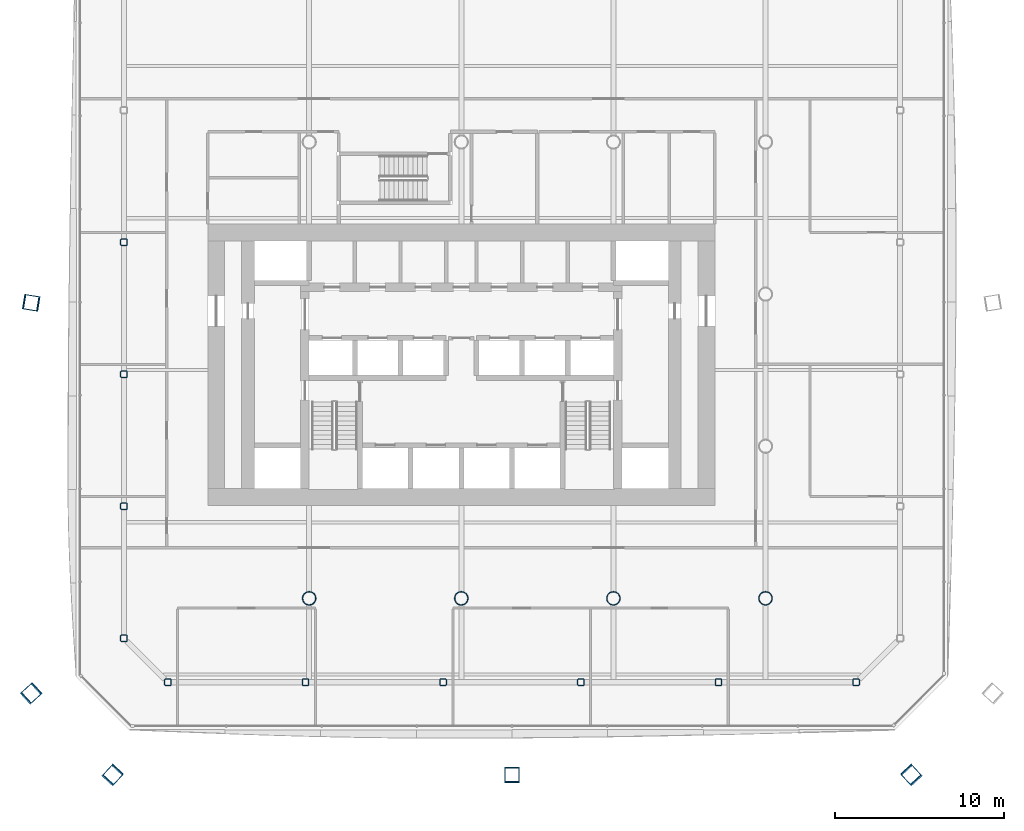
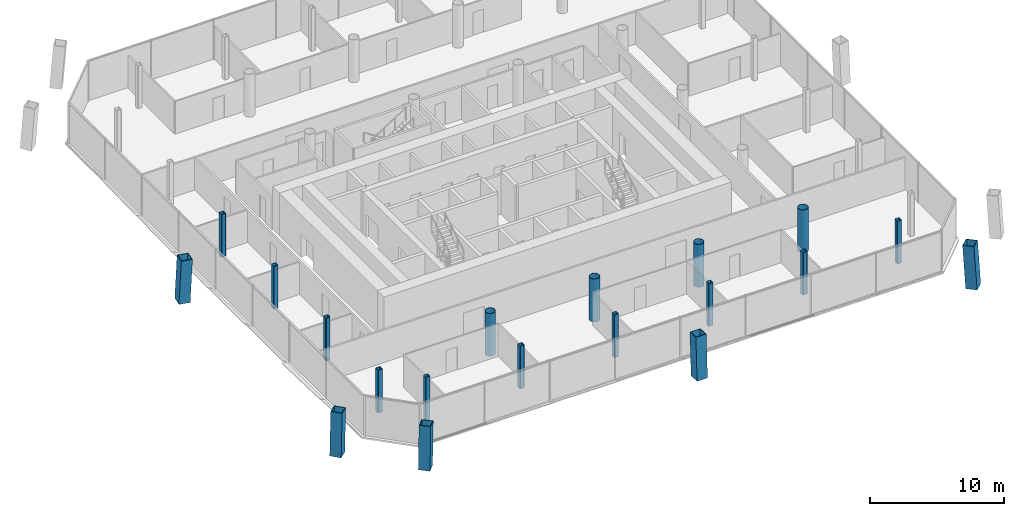
# One storey, part 1 of 20: 19 columns.
"""IFC4 building model written with IfcOpenShell, lengths in metres."""

import ifcopenshell
import ifcopenshell.guid

model = None  # the IFC model being written
_history = None  # IfcOwnerHistory: only IFC2X3 demands one
_inside = {}  # id of a spatial element -> (the spatial element, [elements in it])
_under = {}  # id of a project, library or spatial element -> (it, [spatial elements below it])
_declared = {}  # id of a project -> (the project, [libraries it declares])
_typed = {}  # id of a type object -> (the type object, [elements of that type])
_made_of = {}  # id of a material, layer set ... -> (it, [elements and type objects made of it])


def new_model(schema):
    """Start an empty IFC model of exactly this schema.

    Asked for "IFC4X3", IfcOpenShell would pick the latest addendum, in which some entities
    have other attributes; the version numbers below select the first issue.
    IFC2X3 requires an IfcOwnerHistory on every rooted entity: one is made here for all.
    """
    global model, _history
    if schema == "IFC4X3":
        model = ifcopenshell.file(schema_version=(4, 3, 0, 0))
    else:
        model = ifcopenshell.file(schema=schema)
    _inside.clear()
    _under.clear()
    _declared.clear()
    _typed.clear()
    _made_of.clear()
    _history = None
    if model.schema == "IFC2X3":
        org = make("IfcOrganization", Name="unknown")
        user = make(
            "IfcPersonAndOrganization",
            ThePerson=make("IfcPerson", FamilyName="unknown"),
            TheOrganization=org,
        )
        app = make(
            "IfcApplication",
            ApplicationDeveloper=org,
            Version="unknown",
            ApplicationFullName="unknown",
            ApplicationIdentifier="unknown",
        )
        _history = make(
            "IfcOwnerHistory",
            OwningUser=user,
            OwningApplication=app,
            ChangeAction="ADDED",
            CreationDate=0,
        )
    return model


def make(cls, **values):
    """One entity of the class cls with the attributes given. An attribute that is None is left unset."""
    return model.create_entity(
        cls, **{name: value for name, value in values.items() if value is not None}
    )


def rooted(cls, **values):
    """An entity with a GlobalId (a new one), such as an element, a storey or a relation."""
    return make(cls, GlobalId=ifcopenshell.guid.new(), OwnerHistory=_history, **values)


def si_unit(unit_type, name, prefix=None):
    """IfcSIUnit, for example si_unit("LENGTHUNIT", "METRE", prefix="MILLI")."""
    return make("IfcSIUnit", UnitType=unit_type, Prefix=prefix, Name=name)


def assignment(units):
    """IfcUnitAssignment: the units of a project."""
    return None if units is None else make("IfcUnitAssignment", Units=units)


def point(xyz):
    """IfcCartesianPoint."""
    return None if xyz is None else make("IfcCartesianPoint", Coordinates=xyz)


def direction(xyz):
    """IfcDirection."""
    return None if xyz is None else make("IfcDirection", DirectionRatios=xyz)


def frame(location, z_axis=None, x_axis=None):
    """IfcAxis2Placement3D, a coordinate frame: its origin and axes. An axis left out is left unset."""
    return make(
        "IfcAxis2Placement3D",
        Location=point(location),
        Axis=direction(z_axis),
        RefDirection=direction(x_axis),
    )


def frame_2d(location, x_axis=None):
    """IfcAxis2Placement2D, a coordinate frame in the plane: its origin and x axis."""
    return make(
        "IfcAxis2Placement2D", Location=point(location), RefDirection=direction(x_axis)
    )


def origin():
    """The frame at (0, 0, 0) with its axes left unset."""
    return frame((0.0, 0.0, 0.0))


def origin_2d():
    """The frame at (0, 0) in the plane with its x axis left unset."""
    return frame_2d((0.0, 0.0))


def place(relative_to, where):
    """IfcLocalPlacement: puts the frame where relative to a parent placement (None: the world)."""
    return make(
        "IfcLocalPlacement", PlacementRelTo=relative_to, RelativePlacement=where
    )


def context(
    kind, dimensions, precision=None, world=None, true_north=None, identifier=None
):
    """IfcGeometricRepresentationContext, for example the 3D "Model" context."""
    return make(
        "IfcGeometricRepresentationContext",
        ContextIdentifier=identifier,
        ContextType=kind,
        CoordinateSpaceDimension=dimensions,
        Precision=precision,
        WorldCoordinateSystem=world,
        TrueNorth=true_north,
    )


def subcontext(parent, identifier, kind, view, scale=None):
    """IfcGeometricRepresentationSubContext, for example "Body" below "Model"."""
    return make(
        "IfcGeometricRepresentationSubContext",
        ContextIdentifier=identifier,
        ContextType=kind,
        ParentContext=parent,
        TargetScale=scale,
        TargetView=view,
    )


def project(units=None, contexts=None):
    """IfcProject with its units and contexts."""
    return rooted(
        "IfcProject",
        Name="project",
        RepresentationContexts=contexts,
        UnitsInContext=assignment(units),
    )


def spatial(cls, under=None, at=None, **own):
    """A site, building, storey or space (cls), placed at a placement, below another one or the project."""
    s = rooted(cls, ObjectPlacement=at, **own)
    if under is not None:
        _under.setdefault(under.id(), (under, []))[1].append(s)
    return s


def profile(cls, at=None, kind="AREA", **sizes):
    """A parametric profile (cls). Its sizes go by their IFC names, for example OverallWidth=200.0."""
    return make(cls, ProfileType=kind, Position=at, **sizes)


def hollow_rectangle(**sizes):
    """IfcRectangleHollowProfileDef."""
    return profile("IfcRectangleHollowProfileDef", **sizes)


def hollow_circle(**sizes):
    """IfcCircleHollowProfileDef."""
    return profile("IfcCircleHollowProfileDef", **sizes)


def extrude(swept, where, along, depth):
    """IfcExtrudedAreaSolid: the profile swept, set in the frame where, extruded along a direction by depth."""
    return make(
        "IfcExtrudedAreaSolid",
        SweptArea=swept,
        Position=where,
        ExtrudedDirection=direction(along),
        Depth=depth,
    )


def shape(context_of_items, identifier, shape_type, items):
    """IfcShapeRepresentation: the items that make up one representation, for example the "Body"."""
    return make(
        "IfcShapeRepresentation",
        ContextOfItems=context_of_items,
        RepresentationIdentifier=identifier,
        RepresentationType=shape_type,
        Items=items,
    )


def material(Name=None, Category=None):
    """IfcMaterial."""
    return make("IfcMaterial", Name=Name, Category=Category)


def material_profile(
    of_material, cross_section, Name=None, Category=None, Priority=None
):
    """IfcMaterialProfile: a cross section and its material."""
    return make(
        "IfcMaterialProfile",
        Name=Name,
        Material=of_material,
        Profile=cross_section,
        Priority=Priority,
        Category=Category,
    )


def profile_set(profiles, Name=None, composite=None):
    """IfcMaterialProfileSet."""
    return make(
        "IfcMaterialProfileSet",
        Name=Name,
        MaterialProfiles=profiles,
        CompositeProfile=composite,
    )


def made_of(thing, what):
    """Note that an element or type object is made of a material, layer set ...; save() writes the relation."""
    if what is not None:
        _made_of.setdefault(what.id(), (what, []))[1].append(thing)
    return thing


def type_object(cls, material=None, **own):
    """A type object (cls), such as IfcWallType, which elements share."""
    return made_of(rooted(cls, **own), material)


def element(
    cls,
    number,
    at=None,
    inside=None,
    cuts=None,
    type_object=None,
    material=None,
    context=None,
    identifier="Body",
    shape_type=None,
    held_by="IfcProductDefinitionShape",
    body=None,
    shapes=None,
    **own,
):
    """One element of the class cls, such as IfcWall. Its Tag is "e" and its number.

    at: its placement. inside: the storey or other place that contains it. cuts: it is an
    opening in that element (IfcRelVoidsElement). A single representation is given by context,
    identifier, shape_type and body (its items); several are given by shapes. held_by: the class
    of the entity that holds the representations. save() writes the other relations.
    """
    e = rooted(cls, Tag="e%d" % number, ObjectPlacement=at, **own)
    if body is not None:
        shapes = [shape(context, identifier, shape_type, body)]
    if shapes is not None:
        e.Representation = make(held_by, Representations=shapes)
    if inside is not None:
        _inside.setdefault(inside.id(), (inside, []))[1].append(e)
    if cuts is not None:
        rooted(
            "IfcRelVoidsElement", RelatingBuildingElement=cuts, RelatedOpeningElement=e
        )
    if type_object is not None:
        _typed.setdefault(type_object.id(), (type_object, []))[1].append(e)
    return made_of(e, material)


def aggregate(whole, parts):
    """IfcRelAggregates: a whole, such as a stair, and the parts it consists of."""
    return rooted("IfcRelAggregates", RelatingObject=whole, RelatedObjects=parts)


def save(model, path):
    """Write the relations noted so far, then the file.

    IfcRelAggregates (storeys below a building ...), IfcRelContainedInSpatialStructure (elements
    in a storey), IfcRelDefinesByType, IfcRelAssociatesMaterial and IfcRelDeclares: one each for
    every whole, place, type object, material and project.
    """
    for whole, parts in _under.values():
        aggregate(whole, parts)
    for where, things in _inside.values():
        rooted(
            "IfcRelContainedInSpatialStructure",
            RelatedElements=things,
            RelatingStructure=where,
        )
    for kind, things in _typed.values():
        rooted("IfcRelDefinesByType", RelatedObjects=things, RelatingType=kind)
    for what, things in _made_of.values():
        rooted("IfcRelAssociatesMaterial", RelatedObjects=things, RelatingMaterial=what)
    for by, libraries in _declared.values():
        rooted("IfcRelDeclares", RelatingContext=by, RelatedDefinitions=libraries)
    model.write(path)


model = new_model("IFC4")

# Units and contexts
model_context = context("Model", 3, precision=1e-05, world=origin(), true_north=direction((0.0, 1.0)))
body_context = subcontext(model_context, "Body", "Model", "MODEL_VIEW")
ifc_project = project(units=[si_unit("LENGTHUNIT", "METRE"), si_unit("AREAUNIT", "SQUARE_METRE"), si_unit("VOLUMEUNIT", "CUBIC_METRE"), si_unit("PLANEANGLEUNIT", "RADIAN"), si_unit("MASSUNIT", "GRAM", prefix="KILO")], contexts=[model_context])

# Site, building, storey
site_placement = place(None, origin())
site = spatial("IfcSite", under=ifc_project, at=site_placement, CompositionType="ELEMENT")
building_placement = place(site_placement, origin())
building = spatial("IfcBuilding", under=site, at=building_placement, Name="Tskaro Facet Tower", CompositionType="ELEMENT")
storey_placement = place(building_placement, frame((0.0, 0.0, 66.0)))
storey = spatial("IfcBuildingStorey", under=building, at=storey_placement, Name="L15", CompositionType="ELEMENT", Elevation=66.0)

# Columns
ifc_material_1 = material(Name="Steel S460M", Category="steel")
ifc_material_profile_1 = material_profile(ifc_material_1, hollow_rectangle(XDim=0.89990234375, YDim=0.89990234375, WallThickness=0.054931640625, at=origin_2d()), Name="BOX 900x900x55")
ifc_profile_set_1 = profile_set([ifc_material_profile_1], Name="Steel S460M")
column_type_1 = type_object("IfcColumnType", Name="BOX 900x900x55 mega column", PredefinedType="COLUMN", material=ifc_profile_set_1)
column_1_placement = place(storey_placement, frame((-20.64892578125, -28.47607421875, 0.0), z_axis=(0.042733890357, 0.046607430126, 0.997998778592), x_axis=(-0.737072109445, 0.675814105711, 0.0)))
element("IfcColumn", 1, at=column_1_placement, inside=storey, type_object=column_type_1, Name="BOX 900x900x55 MC01/2", PredefinedType="COLUMN", context=body_context, shape_type="SweptSolid", body=[
    extrude(hollow_rectangle(XDim=0.89990234375, YDim=0.89990234375, WallThickness=0.054931640625, at=origin_2d()), origin(), (0.0, 0.0, 1.0), 3.90771484375),
])
column_2_placement = place(storey_placement, frame((3.0, -28.47607421875, 0.0), z_axis=(0.0, 0.046650045406, 0.998911293991), x_axis=(-1.0, 0.0, 0.0)))
element("IfcColumn", 2, at=column_2_placement, inside=storey, type_object=column_type_1, Name="BOX 900x900x55 MC02/2", PredefinedType="COLUMN", context=body_context, shape_type="SweptSolid", body=[
    extrude(hollow_rectangle(XDim=0.89990234375, YDim=0.89990234375, WallThickness=0.054931640625, at=origin_2d()), origin(), (0.0, 0.0, 1.0), 3.904052734375),
])
column_3_placement = place(storey_placement, frame((26.64892578125, -28.47607421875, 0.0), z_axis=(-0.042733890357, 0.046607430126, 0.997998778592), x_axis=(-0.737072109445, -0.675814105711, 0.0)))
element("IfcColumn", 3, at=column_3_placement, inside=storey, type_object=column_type_1, Name="BOX 900x900x55 MC03/2", PredefinedType="COLUMN", context=body_context, shape_type="SweptSolid", body=[
    extrude(hollow_rectangle(XDim=0.89990234375, YDim=0.89990234375, WallThickness=0.054931640625, at=origin_2d()), origin(), (0.0, 0.0, 1.0), 3.90771484375),
])
column_4_placement = place(storey_placement, frame((-25.47607421875, -0.508056640625, 0.0), z_axis=(0.046648665532, -0.007691401958, 0.998881746925), x_axis=(0.162682900473, 0.986678404493, 0.0)))
element("IfcColumn", 4, at=column_4_placement, inside=storey, type_object=column_type_1, Name="BOX 900x900x55 MC11/2", PredefinedType="COLUMN", context=body_context, shape_type="SweptSolid", body=[
    extrude(hollow_rectangle(XDim=0.89990234375, YDim=0.89990234375, WallThickness=0.054931640625, at=origin_2d()), origin(), (0.0, 0.0, 1.0), 3.904296875),
])
column_5_placement = place(storey_placement, frame((-25.47607421875, -23.64892578125, 0.0), z_axis=(0.046607430126, 0.042733890357, 0.997998778592), x_axis=(-0.675814105711, 0.737072109445, 0.0)))
element("IfcColumn", 5, at=column_5_placement, inside=storey, type_object=column_type_1, Name="BOX 900x900x55 MC12/2", PredefinedType="COLUMN", context=body_context, shape_type="SweptSolid", body=[
    extrude(hollow_rectangle(XDim=0.89990234375, YDim=0.89990234375, WallThickness=0.054931640625, at=origin_2d()), origin(), (0.0, 0.0, 1.0), 3.90771484375),
])
ifc_material_2 = material(Name="Steel S355J2H", Category="steel")
ifc_material_profile_2 = material_profile(ifc_material_2, hollow_circle(Radius=0.406494140625, WallThickness=0.035888671875, at=origin_2d()), Name="CHS 812.8x36")
ifc_profile_set_2 = profile_set([ifc_material_profile_2], Name="Steel S355J2H")
column_type_2 = type_object("IfcColumnType", Name="CHS 812.8x36 interior column", PredefinedType="COLUMN", material=ifc_profile_set_2)
for number, where, z_axis, x_axis, name in (
    (6, (-9.0, -18.0, 0.0), (0.0, 0.0, 1.0), (1.0, 0.0, 0.0), "CHS 812.8x36 C3B/2"),
    (7, (0.0, -18.0, 0.0), (0.0, 0.0, 1.0), (1.0, 0.0, 0.0), "CHS 812.8x36 C4B/2"),
    (8, (9.0, -18.0, 0.0), (0.0, 0.0, 1.0), (1.0, 0.0, 0.0), "CHS 812.8x36 C5B/2"),
    (9, (18.0, -18.0, 0.0), (0.0, 0.0, 1.0), (1.0, 0.0, 0.0), "CHS 812.8x36 C6B/2"),
):
    element("IfcColumn", number, at=place(storey_placement, frame(where, z_axis=z_axis, x_axis=x_axis)), inside=storey, type_object=column_type_2, Name=name, PredefinedType="COLUMN", context=body_context, shape_type="SweptSolid", body=[
        extrude(hollow_circle(Radius=0.406494140625, WallThickness=0.035888671875, at=origin_2d()), origin(), (0.0, 0.0, 1.0), 3.89990234375),
    ])
ifc_material_profile_3 = material_profile(ifc_material_2, hollow_rectangle(XDim=0.39990234375, YDim=0.39990234375, WallThickness=0.02490234375, InnerFilletRadius=0.03759765625, OuterFilletRadius=0.0625, at=origin_2d()), Name="SHS 400x400x25")
ifc_profile_set_3 = profile_set([ifc_material_profile_3], Name="Steel S355J2H")
column_type_3 = type_object("IfcColumnType", Name="SHS 400x400x25 ring column", PredefinedType="COLUMN", material=ifc_profile_set_3)
for number, where, z_axis, x_axis, name in (
    (10, (-17.364013671875, -22.965087890625, 0.0), (0.0, 0.0, 1.0), (1.0, 0.0, 0.0), "SHS 400x400x25 RS-1/2"),
    (11, (-9.218017578125, -22.965087890625, 0.0), (0.0, 0.0, 1.0), (1.0, 0.0, 0.0), "SHS 400x400x25 RS-2/2"),
    (12, (-1.072998046875, -22.965087890625, 0.0), (0.0, 0.0, 1.0), (1.0, 0.0, 0.0), "SHS 400x400x25 RS-3/2"),
    (13, (7.072998046875, -22.965087890625, 0.0), (0.0, 0.0, 1.0), (1.0, 0.0, 0.0), "SHS 400x400x25 RS-4/2"),
    (14, (15.218017578125, -22.965087890625, 0.0), (0.0, 0.0, 1.0), (1.0, 0.0, 0.0), "SHS 400x400x25 RS-5/2"),
    (15, (23.364013671875, -22.965087890625, 0.0), (0.0, 0.0, 1.0), (1.0, 0.0, 0.0), "SHS 400x400x25 RSE-1/2"),
    (16, (-19.965087890625, 3.068115234375, 0.0), (0.0, 0.0, 1.0), (1.0, 0.0, 0.0), "SHS 400x400x25 RW-3/2"),
    (17, (-19.965087890625, -4.741943359375, 0.0), (0.0, 0.0, 1.0), (1.0, 0.0, 0.0), "SHS 400x400x25 RW-4/2"),
    (18, (-19.965087890625, -12.552978515625, 0.0), (0.0, 0.0, 1.0), (1.0, 0.0, 0.0), "SHS 400x400x25 RW-5/2"),
    (19, (-19.965087890625, -20.364013671875, 0.0), (0.0, 0.0, 1.0), (1.0, 0.0, 0.0), "SHS 400x400x25 RSW-1/2"),
):
    element("IfcColumn", number, at=place(storey_placement, frame(where, z_axis=z_axis, x_axis=x_axis)), inside=storey, type_object=column_type_3, Name=name, PredefinedType="COLUMN", context=body_context, shape_type="SweptSolid", body=[
        extrude(hollow_rectangle(XDim=0.39990234375, YDim=0.39990234375, WallThickness=0.02490234375, InnerFilletRadius=0.03759765625, OuterFilletRadius=0.0625, at=origin_2d()), origin(), (0.0, 0.0, 1.0), 3.89990234375),
    ])

save(model, "model.ifc")
